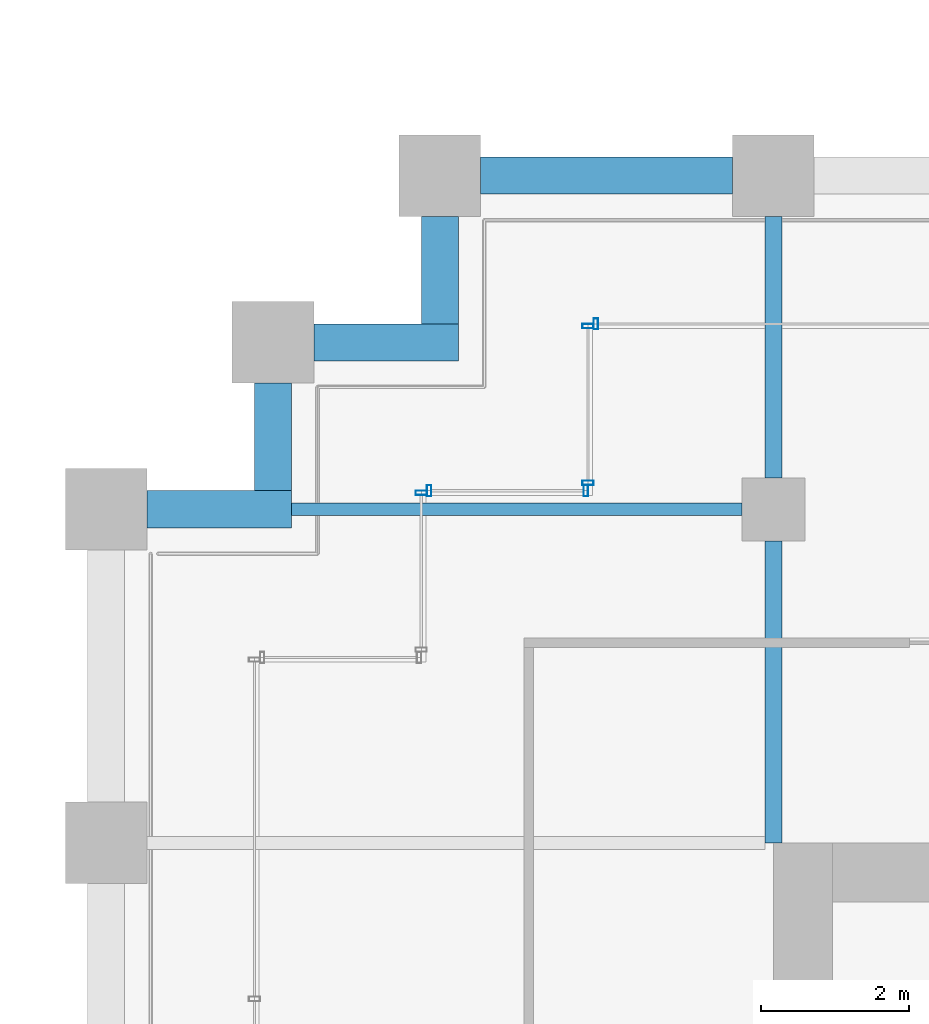
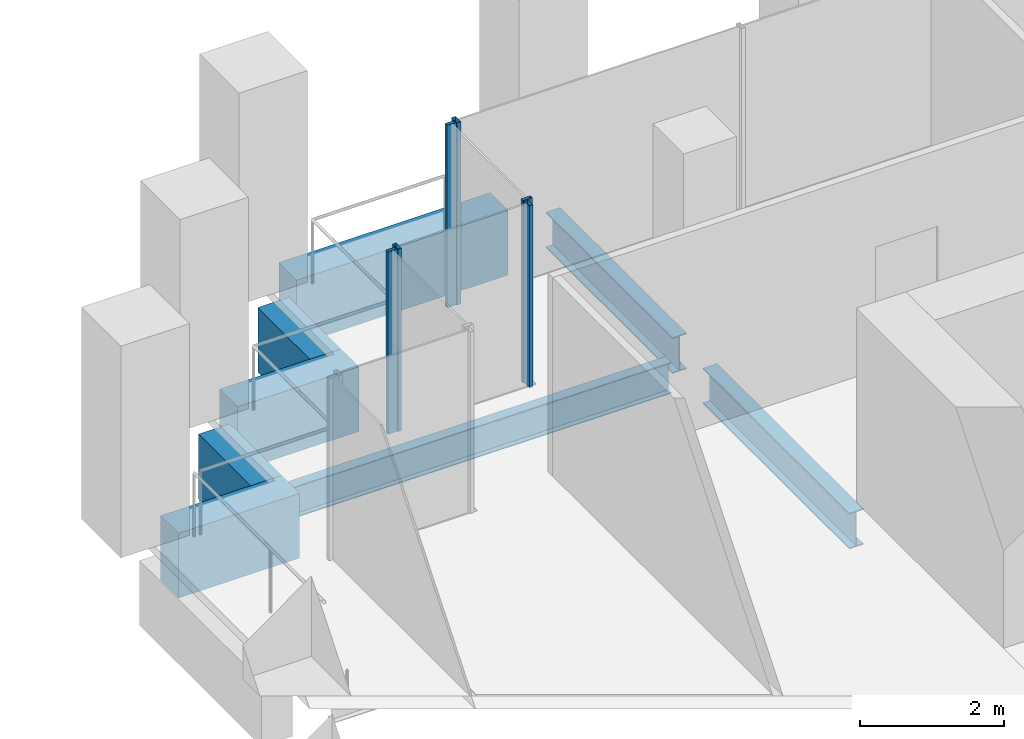
# One storey, part 41 of 56: 8 beams, 6 members, 4 elements without a shape of their own.
"""IFC4 building model written with IfcOpenShell, lengths in metres."""

from ifc_helpers import new_model, si_unit, direction, frame, origin, origin_2d, place, context, subcontext, project, spatial, rectangle, hollow_rectangle, i_section, extrude, material, material_profile, profile_set, type_object, element, aggregate, save


model = new_model("IFC4")

# Units and contexts
model_context = context("Model", 3, precision=1e-05, world=origin(), true_north=direction((0.0, 1.0)))
body_context = subcontext(model_context, "Body", "Model", "MODEL_VIEW")
ifc_project = project(units=[si_unit("LENGTHUNIT", "METRE"), si_unit("AREAUNIT", "SQUARE_METRE"), si_unit("VOLUMEUNIT", "CUBIC_METRE"), si_unit("PLANEANGLEUNIT", "RADIAN"), si_unit("MASSUNIT", "GRAM", prefix="KILO")], contexts=[model_context])

# Site, building, storey
site_placement = place(None, origin())
site = spatial("IfcSite", under=ifc_project, at=site_placement, CompositionType="ELEMENT")
building_placement = place(site_placement, origin())
building = spatial("IfcBuilding", under=site, at=building_placement, Name="Altepetl Exchange Towers", CompositionType="ELEMENT")
storey_placement = place(building_placement, frame((0.0, 0.0, 83.39990234375)))
storey = spatial("IfcBuildingStorey", under=building, at=storey_placement, Name="L20", CompositionType="ELEMENT", Elevation=83.39990234375)

# Beams
ifc_material_1 = material(Name="Steel S355", Category="steel")
ifc_material_profile_1 = material_profile(ifc_material_1, i_section(OverallWidth=0.166015625, OverallDepth=0.529052734375, WebThickness=0.009765625, FlangeThickness=0.013671875, at=origin_2d()), Name="W21X50")
ifc_profile_set_1 = profile_set([ifc_material_profile_1], Name="Steel S355")
beam_type_1 = type_object("IfcBeamType", Name="Floor beam W21X50", PredefinedType="BEAM", material=ifc_profile_set_1)
beam_1_placement = place(storey_placement, frame((97.0, 54.0, -0.414306640625), z_axis=(1.0, 0.0, 0.0), x_axis=(0.0, 1.0, 0.0)))
element("IfcBeam", 1, at=beam_1_placement, inside=storey, type_object=beam_type_1, Name="bm:B:L20:015", PredefinedType="BEAM", context=body_context, shape_type="SweptSolid", body=[
    extrude(i_section(OverallWidth=0.166015625, OverallDepth=0.529052734375, WebThickness=0.009765625, FlangeThickness=0.013671875, at=origin_2d()), origin(), (0.0, 0.0, 1.0), 6.074951171875),
])
ifc_material_profile_2 = material_profile(ifc_material_1, i_section(OverallWidth=0.22802734375, OverallDepth=0.60791015625, WebThickness=0.01123046875, FlangeThickness=0.017333984375, at=origin_2d()), Name="W24X76")
ifc_profile_set_2 = profile_set([ifc_material_profile_2], Name="Steel S355")
beam_type_2 = type_object("IfcBeamType", Name="Girder W24X76", PredefinedType="BEAM", material=ifc_profile_set_2)
beam_2_placement = place(storey_placement, frame((103.5, 57.949951171875, -0.453857421875), z_axis=(0.0, -1.0, 0.0), x_axis=(1.0, 0.0, 0.0)))
element("IfcBeam", 2, at=beam_2_placement, inside=storey, type_object=beam_type_2, Name="gd:B:L20:002", PredefinedType="BEAM", context=body_context, shape_type="SweptSolid", body=[
    extrude(i_section(OverallWidth=0.22802734375, OverallDepth=0.60791015625, WebThickness=0.01123046875, FlangeThickness=0.017333984375, at=origin_2d()), origin(), (0.0, 0.0, 1.0), 3.52490234375),
])
beam_3_placement = place(storey_placement, frame((103.5, 53.574951171875, -0.453857421875), z_axis=(0.0, -1.0, 0.0), x_axis=(1.0, 0.0, 0.0)))
element("IfcBeam", 3, at=beam_3_placement, inside=storey, type_object=beam_type_2, Name="gd:B:L20:003", PredefinedType="BEAM", context=body_context, shape_type="SweptSolid", body=[
    extrude(i_section(OverallWidth=0.22802734375, OverallDepth=0.60791015625, WebThickness=0.01123046875, FlangeThickness=0.017333984375, at=origin_2d()), origin(), (0.0, 0.0, 1.0), 4.074951171875),
])

# Curtain wall, member
ifc_material_2 = material(Name="Aluminium 6063-T6 glazing", Category="aluminium")
curtain_wall_type = type_object("IfcCurtainWallType", Name="Loggia glazing system", PredefinedType="NOTDEFINED", material=ifc_material_2)
curtain_wall_1_placement = place(storey_placement, origin())
curtain_wall_1 = element("IfcCurtainWall", 4, at=curtain_wall_1_placement, inside=storey, type_object=curtain_wall_type, Name="CW1 run", PredefinedType="NOTDEFINED")
ifc_material_3 = material(Name="Aluminium 6063-T6", Category="aluminium")
ifc_material_profile_3 = material_profile(ifc_material_3, hollow_rectangle(XDim=0.06005859375, YDim=0.14990234375, WallThickness=0.0029296875, at=origin_2d()), Name="Mullion 60x150 aluminium")
ifc_profile_set_3 = profile_set([ifc_material_profile_3], Name="Aluminium 6063-T6")
member_type = type_object("IfcMemberType", Name="Mullion 60x150 aluminium", PredefinedType="MULLION", material=ifc_profile_set_3)
member_1_placement = place(storey_placement, frame((101.10498046875, 56.5, 0.0), z_axis=(0.0, 0.0, 1.0), x_axis=(-1.0, 0.0, 0.0)))
member_1 = element("IfcMember", 5, at=member_1_placement, type_object=member_type, Name="MU1 mullion", PredefinedType="MULLION", context=body_context, shape_type="SweptSolid", body=[
    extrude(hollow_rectangle(XDim=0.06005859375, YDim=0.14990234375, WallThickness=0.0029296875, at=origin_2d()), origin(), (0.0, 0.0, 1.0), 3.10009765625),
])
aggregate(curtain_wall_1, [member_1])

# Curtain wall, members
curtain_wall_2_placement = place(storey_placement, origin())
curtain_wall_2 = element("IfcCurtainWall", 6, at=curtain_wall_2_placement, inside=storey, type_object=curtain_wall_type, Name="CW1 run", PredefinedType="NOTDEFINED")
member_2_placement = place(storey_placement, frame((101.0, 56.469970703125, 0.0), z_axis=(0.0, 0.0, 1.0), x_axis=(0.0, -1.0, 0.0)))
member_2 = element("IfcMember", 7, at=member_2_placement, type_object=member_type, Name="MU1 mullion", PredefinedType="MULLION", context=body_context, shape_type="SweptSolid", body=[
    extrude(hollow_rectangle(XDim=0.06005859375, YDim=0.14990234375, WallThickness=0.0029296875, at=origin_2d()), origin(), (0.0, 0.0, 1.0), 3.10009765625),
])
member_3_placement = place(storey_placement, frame((101.0, 54.35498046875, 0.0), z_axis=(0.0, 0.0, 1.0), x_axis=(0.0, -1.0, 0.0)))
member_3 = element("IfcMember", 8, at=member_3_placement, type_object=member_type, Name="MU1 mullion", PredefinedType="MULLION", context=body_context, shape_type="SweptSolid", body=[
    extrude(hollow_rectangle(XDim=0.06005859375, YDim=0.14990234375, WallThickness=0.0029296875, at=origin_2d()), origin(), (0.0, 0.0, 1.0), 3.10009765625),
])
aggregate(curtain_wall_2, [member_2, member_3])

curtain_wall_3_placement = place(storey_placement, origin())
curtain_wall_3 = element("IfcCurtainWall", 9, at=curtain_wall_3_placement, inside=storey, type_object=curtain_wall_type, Name="CW1 run", PredefinedType="NOTDEFINED")
member_4_placement = place(storey_placement, frame((100.969970703125, 54.25, 0.0), z_axis=(0.0, 0.0, 1.0), x_axis=(-1.0, 0.0, 0.0)))
member_4 = element("IfcMember", 10, at=member_4_placement, type_object=member_type, Name="MU1 mullion", PredefinedType="MULLION", context=body_context, shape_type="SweptSolid", body=[
    extrude(hollow_rectangle(XDim=0.06005859375, YDim=0.14990234375, WallThickness=0.0029296875, at=origin_2d()), origin(), (0.0, 0.0, 1.0), 3.10009765625),
])
member_5_placement = place(storey_placement, frame((98.85498046875, 54.25, 0.0), z_axis=(0.0, 0.0, 1.0), x_axis=(-1.0, 0.0, 0.0)))
member_5 = element("IfcMember", 11, at=member_5_placement, type_object=member_type, Name="MU1 mullion", PredefinedType="MULLION", context=body_context, shape_type="SweptSolid", body=[
    extrude(hollow_rectangle(XDim=0.06005859375, YDim=0.14990234375, WallThickness=0.0029296875, at=origin_2d()), origin(), (0.0, 0.0, 1.0), 3.10009765625),
])
aggregate(curtain_wall_3, [member_4, member_5])

# Curtain wall, member
curtain_wall_4_placement = place(storey_placement, origin())
curtain_wall_4 = element("IfcCurtainWall", 12, at=curtain_wall_4_placement, inside=storey, type_object=curtain_wall_type, Name="CW1 run", PredefinedType="NOTDEFINED")
member_6_placement = place(storey_placement, frame((98.75, 54.219970703125, 0.0), z_axis=(0.0, 0.0, 1.0), x_axis=(0.0, -1.0, 0.0)))
member_6 = element("IfcMember", 13, at=member_6_placement, type_object=member_type, Name="MU1 mullion", PredefinedType="MULLION", context=body_context, shape_type="SweptSolid", body=[
    extrude(hollow_rectangle(XDim=0.06005859375, YDim=0.14990234375, WallThickness=0.0029296875, at=origin_2d()), origin(), (0.0, 0.0, 1.0), 3.10009765625),
])
aggregate(curtain_wall_4, [member_6])

# Beams
ifc_material_4 = material(Name="Concrete C50/60 precast with cantera rosa facing", Category="concrete")
ifc_material_profile_4 = material_profile(ifc_material_4, rectangle(XDim=0.5, YDim=1.10009765625, at=origin_2d()), Name="500 x 1100")
ifc_profile_set_4 = profile_set([ifc_material_profile_4], Name="Concrete C50/60 precast with cantera rosa facing")
beam_type_3 = type_object("IfcBeamType", Name="Spandrel beam 500x1100 cantera rosa", PredefinedType="SPANDREL", material=ifc_profile_set_4)
beam_4_placement = place(storey_placement, frame((102.949951171875, 58.5, -0.699951171875), z_axis=(-1.0, 0.0, 0.0), x_axis=(0.0, -1.0, 0.0)))
element("IfcBeam", 14, at=beam_4_placement, inside=storey, type_object=beam_type_3, Name="sp:B:L20:022", PredefinedType="SPANDREL", context=body_context, shape_type="SweptSolid", body=[
    extrude(rectangle(XDim=0.5, YDim=1.10009765625, at=origin_2d()), origin(), (0.0, 0.0, 1.0), 3.39990234375),
])
beam_5_placement = place(storey_placement, frame((99.0, 57.949951171875, -0.699951171875), z_axis=(0.0, -1.0, 0.0), x_axis=(1.0, 0.0, 0.0)))
element("IfcBeam", 15, at=beam_5_placement, inside=storey, type_object=beam_type_3, Name="sp:B:L20:023", PredefinedType="SPANDREL", context=body_context, shape_type="SweptSolid", body=[
    extrude(rectangle(XDim=0.5, YDim=1.10009765625, at=origin_2d()), origin(), (0.0, 0.0, 1.0), 1.449951171875),
])
beam_6_placement = place(storey_placement, frame((99.25, 56.25, -0.699951171875), z_axis=(-1.0, 0.0, 0.0), x_axis=(0.0, -1.0, 0.0)))
element("IfcBeam", 16, at=beam_6_placement, inside=storey, type_object=beam_type_3, Name="sp:B:L20:024", PredefinedType="SPANDREL", context=body_context, shape_type="SweptSolid", body=[
    extrude(rectangle(XDim=0.5, YDim=1.10009765625, at=origin_2d()), origin(), (0.0, 0.0, 1.0), 1.949951171875),
])
beam_7_placement = place(storey_placement, frame((96.75, 55.699951171875, -0.699951171875), z_axis=(0.0, -1.0, 0.0), x_axis=(1.0, 0.0, 0.0)))
element("IfcBeam", 17, at=beam_7_placement, inside=storey, type_object=beam_type_3, Name="sp:B:L20:025", PredefinedType="SPANDREL", context=body_context, shape_type="SweptSolid", body=[
    extrude(rectangle(XDim=0.5, YDim=1.10009765625, at=origin_2d()), origin(), (0.0, 0.0, 1.0), 1.449951171875),
])
beam_8_placement = place(storey_placement, frame((97.0, 54.0, -0.699951171875), z_axis=(-1.0, 0.0, 0.0), x_axis=(0.0, -1.0, 0.0)))
element("IfcBeam", 18, at=beam_8_placement, inside=storey, type_object=beam_type_3, Name="sp:B:L20:026", PredefinedType="SPANDREL", context=body_context, shape_type="SweptSolid", body=[
    extrude(rectangle(XDim=0.5, YDim=1.10009765625, at=origin_2d()), origin(), (0.0, 0.0, 1.0), 1.949951171875),
])

save(model, "model.ifc")
